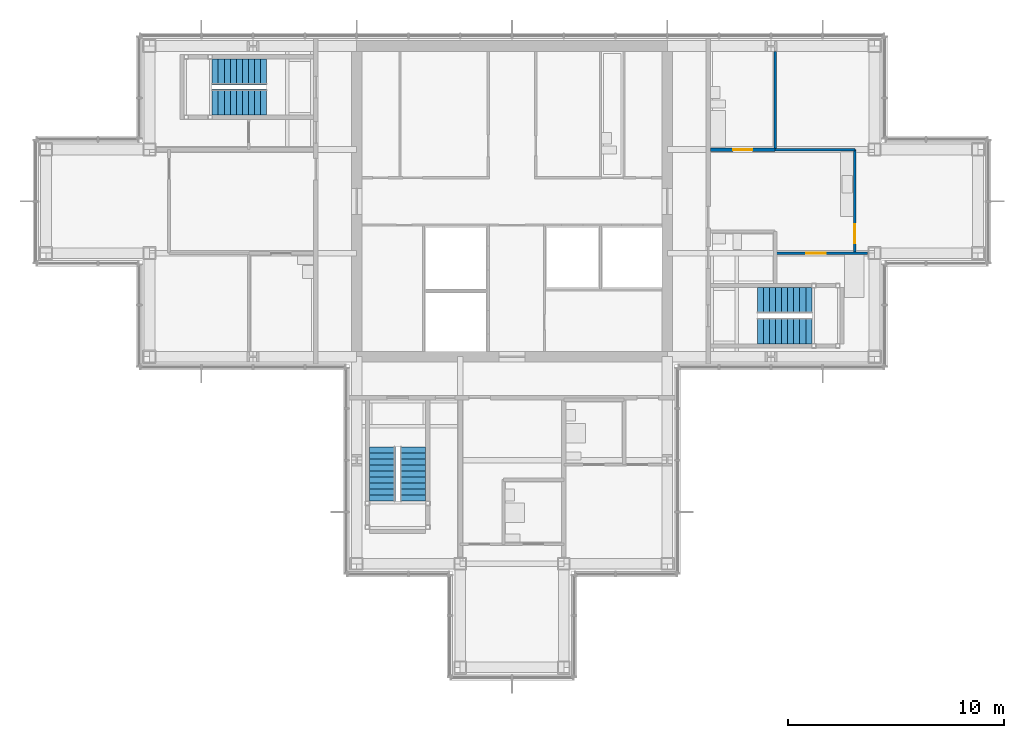
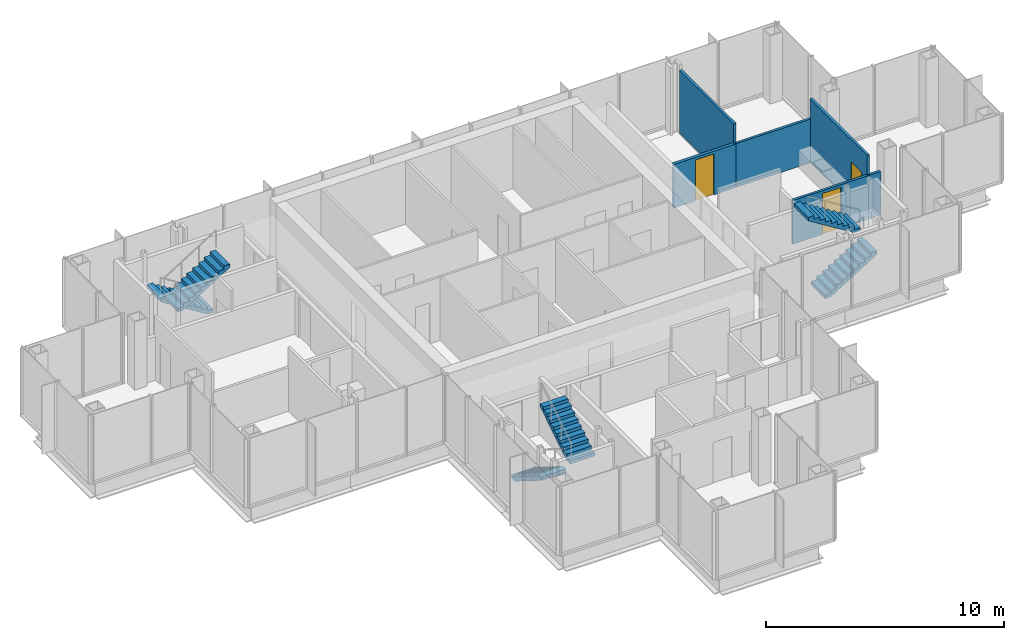
# One storey, part 12 of 15: 6 stair flights, 5 walls, 3 doors, 3 openings, 3 elements without a shape of their own.
"""IFC4 building model written with IfcOpenShell, lengths in metres."""

from ifc_helpers import new_model, si_unit, direction, frame, frame_2d, origin, place, context, subcontext, project, spatial, polyline, rectangle, outline, extrude, material, layer, layer_set, type_object, element, fill, aggregate, save


model = new_model("IFC4")

# Units and contexts
model_context = context("Model", 3, precision=1e-05, world=origin(), true_north=direction((0.0, 1.0)))
body_context = subcontext(model_context, "Body", "Model", "MODEL_VIEW")
ifc_project = project(units=[si_unit("LENGTHUNIT", "METRE"), si_unit("AREAUNIT", "SQUARE_METRE"), si_unit("VOLUMEUNIT", "CUBIC_METRE"), si_unit("PLANEANGLEUNIT", "RADIAN"), si_unit("MASSUNIT", "GRAM", prefix="KILO")], contexts=[model_context])

# Site, building, storey
site_placement = place(None, origin())
site = spatial("IfcSite", under=ifc_project, at=site_placement, CompositionType="ELEMENT")
building_placement = place(site_placement, origin())
building = spatial("IfcBuilding", under=site, at=building_placement, Name="Kvirike Care Tower", CompositionType="ELEMENT")
storey_placement = place(building_placement, frame((0.0, 0.0, 240.0)))
storey = spatial("IfcBuildingStorey", under=building, at=storey_placement, Name="L66", CompositionType="ELEMENT", Elevation=240.0)

# Wall, opening, door
ifc_material_1 = material(Name="Moisture-resistant board partition", Category="gypsum")
ifc_layer_1 = layer(ifc_material_1, 0.14990234375)
ifc_layer_set_1 = layer_set([ifc_layer_1], Name="BATHROOM WALL 150")
wall_type_1 = type_object("IfcWallType", Name="BATHROOM WALL 150", PredefinedType="PARTITIONING", material=ifc_layer_set_1)
wall_1_placement = place(storey_placement, frame((33.800048828125, 38.39990234375, 0.0), z_axis=(0.0, 0.0, 1.0), x_axis=(-1.0, 0.0, 0.0)))
wall_1 = element("IfcWall", 1, at=wall_1_placement, inside=storey, type_object=wall_type_1, Name="Bathroom Wall 150 L66", PredefinedType="PARTITIONING", context=body_context, shape_type="SweptSolid", body=[
    extrude(rectangle(XDim=3.0, YDim=0.14990234375, at=frame_2d((1.5, 0.0))), origin(), (0.0, 0.0, 1.0), 2.239990234375),
])
opening_1_placement = place(wall_1_placement, frame((1.050048828125, 0.0, 0.0)))
opening_1 = element("IfcOpeningElement", 2, at=opening_1_placement, cuts=wall_1, Name="Opening 66-015", PredefinedType="OPENING", context=body_context, shape_type="SweptSolid", body=[
    extrude(rectangle(XDim=0.89990234375, YDim=2.10009765625, at=frame_2d((0.449951171875, 1.050048828125))), frame((0.0, 0.08544921875, 0.0), z_axis=(0.0, -1.0, 0.0), x_axis=(1.0, 0.0, 0.0)), (0.0, 0.0, 1.0), 0.1708984375),
])
ifc_material_2 = material(Name="Timber door set", Category="wood")
door_type_1 = type_object("IfcDoorType", Name="BATHROOM DOOR 900", OperationType="SINGLE_SWING_RIGHT", PredefinedType="DOOR", material=ifc_material_2)
door_1_placement = place(opening_1_placement, frame((0.89990234375, 0.0, 0.0), z_axis=(0.0, 0.0, 1.0), x_axis=(-1.0, 0.0, 0.0)))
door_1 = element("IfcDoor", 3, at=door_1_placement, inside=storey, type_object=door_type_1, Name="Bathroom door", OperationType="SINGLE_SWING_LEFT", OverallHeight=2.10009765625, OverallWidth=0.89990234375, PredefinedType="DOOR", context=body_context, shape_type="SweptSolid", body=[
    extrude(rectangle(XDim=0.89990234375, YDim=2.10009765625, at=frame_2d((0.449951171875, 1.050048828125))), frame((0.0, 0.02197265625, 0.0), z_axis=(0.0, -1.0, 0.0), x_axis=(1.0, 0.0, 0.0)), (0.0, 0.0, 1.0), 0.0439453125),
])
fill(opening_1, door_1)

ifc_material_3 = material(Name="Plasterboard partition", Category="gypsum")
ifc_layer_2 = layer(ifc_material_3, 0.1201171875)
ifc_layer_set_2 = layer_set([ifc_layer_2], Name="PARTITION 120")
wall_type_2 = type_object("IfcWallType", Name="PARTITION 120", PredefinedType="PARTITIONING", material=ifc_layer_set_2)
wall_2_placement = place(storey_placement, frame((37.5, 33.60009765625, 0.0), z_axis=(0.0, 0.0, 1.0), x_axis=(0.0, 1.0, 0.0)))
wall_2 = element("IfcWall", 4, at=wall_2_placement, inside=storey, type_object=wall_type_2, Name="Partition 120 L66", PredefinedType="PARTITIONING", context=body_context, shape_type="SweptSolid", body=[
    extrude(rectangle(XDim=4.7998046875, YDim=0.1201171875, at=frame_2d((2.39990234375, 0.0))), origin(), (0.0, 0.0, 1.0), 3.25),
])
opening_2_placement = place(wall_2_placement, frame((0.449951171875, 0.0, 0.0)))
opening_2 = element("IfcOpeningElement", 5, at=opening_2_placement, cuts=wall_2, Name="Opening 66-016", PredefinedType="OPENING", context=body_context, shape_type="SweptSolid", body=[
    extrude(rectangle(XDim=0.89990234375, YDim=2.10009765625, at=frame_2d((0.449951171875, 1.050048828125))), frame((0.0, 0.070556640625, 0.0), z_axis=(0.0, -1.0, 0.0), x_axis=(1.0, 0.0, 0.0)), (0.0, 0.0, 1.0), 0.14111328125),
])
ifc_material_4 = material(Name="Timber door set", Category="wood")
door_type_2 = type_object("IfcDoorType", Name="INTERNAL DOOR 900", OperationType="SINGLE_SWING_LEFT", PredefinedType="DOOR", material=ifc_material_4)
door_2_placement = place(opening_2_placement, origin())
door_2 = element("IfcDoor", 6, at=door_2_placement, inside=storey, type_object=door_type_2, Name="Apartment living and dining room door", OperationType="SINGLE_SWING_RIGHT", OverallHeight=2.10009765625, OverallWidth=0.89990234375, PredefinedType="DOOR", context=body_context, shape_type="SweptSolid", body=[
    extrude(rectangle(XDim=0.89990234375, YDim=2.10009765625, at=frame_2d((0.449951171875, 1.050048828125))), frame((0.0, 0.02197265625, 0.0), z_axis=(0.0, -1.0, 0.0), x_axis=(1.0, 0.0, 0.0)), (0.0, 0.0, 1.0), 0.0439453125),
])
fill(opening_2, door_2)

# Wall
wall_3_placement = place(storey_placement, frame((33.800048828125, 38.39990234375, 0.0), z_axis=(0.0, 0.0, 1.0), x_axis=(0.0, 1.0, 0.0)))
element("IfcWall", 7, at=wall_3_placement, inside=storey, type_object=wall_type_2, Name="Partition 120 L66", PredefinedType="PARTITIONING", context=body_context, shape_type="SweptSolid", body=[
    extrude(rectangle(XDim=4.55615234375, YDim=0.1201171875, at=frame_2d((2.278076171875, 0.0))), origin(), (0.0, 0.0, 1.0), 3.25),
])

# Wall, opening, door
wall_4_placement = place(storey_placement, frame((38.080078125, 33.60009765625, 0.0), z_axis=(0.0, 0.0, 1.0), x_axis=(-1.0, 0.0, 0.0)))
wall_4 = element("IfcWall", 8, at=wall_4_placement, inside=storey, type_object=wall_type_2, Name="Partition 120 L66", PredefinedType="PARTITIONING", context=body_context, shape_type="SweptSolid", body=[
    extrude(rectangle(XDim=4.280029296875, YDim=0.1201171875, at=frame_2d((2.14013671875, 0.0))), origin(), (0.0, 0.0, 1.0), 2.239990234375),
])
opening_3_placement = place(wall_4_placement, frame((1.929931640625, 0.0, 0.0)))
opening_3 = element("IfcOpeningElement", 9, at=opening_3_placement, cuts=wall_4, Name="Opening 66-017", PredefinedType="OPENING", context=body_context, shape_type="SweptSolid", body=[
    extrude(rectangle(XDim=0.89990234375, YDim=2.10009765625, at=frame_2d((0.449951171875, 1.050048828125))), frame((0.0, 0.070556640625, 0.0), z_axis=(0.0, -1.0, 0.0), x_axis=(1.0, 0.0, 0.0)), (0.0, 0.0, 1.0), 0.14111328125),
])
door_3_placement = place(opening_3_placement, origin())
door_3 = element("IfcDoor", 10, at=door_3_placement, inside=storey, type_object=door_type_2, Name="Connecting door", OperationType="SINGLE_SWING_LEFT", OverallHeight=2.10009765625, OverallWidth=0.89990234375, PredefinedType="DOOR", context=body_context, shape_type="SweptSolid", body=[
    extrude(rectangle(XDim=0.89990234375, YDim=2.10009765625, at=frame_2d((0.449951171875, 1.050048828125))), frame((0.0, 0.02197265625, 0.0), z_axis=(0.0, -1.0, 0.0), x_axis=(1.0, 0.0, 0.0)), (0.0, 0.0, 1.0), 0.0439453125),
])
fill(opening_3, door_3)

# Wall
wall_5_placement = place(storey_placement, frame((37.5, 38.39990234375, 0.0), z_axis=(0.0, 0.0, 1.0), x_axis=(-1.0, 0.0, 0.0)))
element("IfcWall", 11, at=wall_5_placement, inside=storey, type_object=wall_type_2, Name="Partition 120 L66", PredefinedType="PARTITIONING", context=body_context, shape_type="SweptSolid", body=[
    extrude(rectangle(XDim=3.699951171875, YDim=0.1201171875, at=frame_2d((1.85009765625, 0.0))), origin(), (0.0, 0.0, 1.0), 2.239990234375),
])

# Stair, stair flights
ifc_material_5 = material(Name="Concrete C35/45", Category="concrete")
stair_type = type_object("IfcStairType", Name="STAIR 20 RISERS", PredefinedType="HALF_TURN_STAIR", material=ifc_material_5)
stair_1_placement = place(storey_placement, origin())
stair_1 = element("IfcStair", 12, at=stair_1_placement, inside=storey, type_object=stair_type, Name="Stair 1 L66", PredefinedType="HALF_TURN_STAIR")
ifc_material_6 = material(Name="Concrete C35/45", Category="concrete")
stair_flight_type = type_object("IfcStairFlightType", Name="FLIGHT 10 RISERS", PredefinedType="STRAIGHT", material=ifc_material_6)
stair_flight_1_placement = place(storey_placement, frame((10.219970703125, 42.0, 0.0), z_axis=(0.0, 0.0, 1.0), x_axis=(-1.0, 0.0, 0.0)))
stair_flight_1 = element("IfcStairFlight", 13, at=stair_flight_1_placement, type_object=stair_flight_type, Name="Stair S1 flight 1 L66-L67", NumberOfRisers=10, NumberOfTreads=9, PredefinedType="STRAIGHT", RiserHeight=0.175, TreadLength=0.28, context=body_context, shape_type="SweptSolid", body=[
    extrude(outline(polyline([(0.0, 0.0), (0.0, 0.175048828125), (0.280029296875, 0.175048828125), (0.280029296875, 0.35009765625), (0.56005859375, 0.35009765625), (0.56005859375, 0.52490234375), (0.840087890625, 0.52490234375), (0.840087890625, 0.699951171875), (1.1201171875, 0.699951171875), (1.1201171875, 0.875), (1.39990234375, 0.875), (1.39990234375, 1.050048828125), (1.679931640625, 1.050048828125), (1.679931640625, 1.22509765625), (1.9599609375, 1.22509765625), (1.9599609375, 1.39990234375), (2.239990234375, 1.39990234375), (2.239990234375, 1.574951171875), (2.52001953125, 1.574951171875), (2.52001953125, 1.75), (2.52001953125, 1.398193359375), (0.28271484375, 0.0), (0.0, 0.0)])), frame((0.0, 0.60009765625, 0.0), z_axis=(0.0, -1.0, 0.0), x_axis=(1.0, 0.0, 0.0)), (0.0, 0.0, 1.0), 1.199951171875),
])
stair_flight_2_placement = place(storey_placement, frame((7.699951171875, 40.60009765625, 1.75), z_axis=(0.0, 0.0, 1.0), x_axis=(1.0, 0.0, 0.0)))
stair_flight_2 = element("IfcStairFlight", 14, at=stair_flight_2_placement, type_object=stair_flight_type, Name="Stair S1 flight 2 L66-L67", NumberOfRisers=10, NumberOfTreads=9, PredefinedType="STRAIGHT", RiserHeight=0.175, TreadLength=0.28, context=body_context, shape_type="SweptSolid", body=[
    extrude(outline(polyline([(0.0, 0.0), (0.0, 0.175048828125), (0.280029296875, 0.175048828125), (0.280029296875, 0.35009765625), (0.56005859375, 0.35009765625), (0.56005859375, 0.52490234375), (0.840087890625, 0.52490234375), (0.840087890625, 0.699951171875), (1.1201171875, 0.699951171875), (1.1201171875, 0.875), (1.39990234375, 0.875), (1.39990234375, 1.050048828125), (1.679931640625, 1.050048828125), (1.679931640625, 1.22509765625), (1.9599609375, 1.22509765625), (1.9599609375, 1.39990234375), (2.239990234375, 1.39990234375), (2.239990234375, 1.574951171875), (2.52001953125, 1.574951171875), (2.52001953125, 1.75), (2.52001953125, 1.398193359375), (0.28271484375, 0.0), (0.0, 0.0)])), frame((0.0, 0.60009765625, 0.0), z_axis=(0.0, -1.0, 0.0), x_axis=(1.0, 0.0, 0.0)), (0.0, 0.0, 1.0), 1.199951171875),
])
aggregate(stair_1, [stair_flight_1, stair_flight_2])

stair_2_placement = place(storey_placement, origin())
stair_2 = element("IfcStair", 15, at=stair_2_placement, inside=storey, type_object=stair_type, Name="Stair 2 L66", PredefinedType="HALF_TURN_STAIR")
stair_flight_3_placement = place(storey_placement, frame((32.97998046875, 30.0, 0.0), z_axis=(0.0, 0.0, 1.0), x_axis=(1.0, 0.0, 0.0)))
stair_flight_3 = element("IfcStairFlight", 16, at=stair_flight_3_placement, type_object=stair_flight_type, Name="Stair S2 flight 1 L66-L67", NumberOfRisers=10, NumberOfTreads=9, PredefinedType="STRAIGHT", RiserHeight=0.175, TreadLength=0.28, context=body_context, shape_type="SweptSolid", body=[
    extrude(outline(polyline([(0.0, 0.0), (0.0, 0.175048828125), (0.280029296875, 0.175048828125), (0.280029296875, 0.35009765625), (0.56005859375, 0.35009765625), (0.56005859375, 0.52490234375), (0.840087890625, 0.52490234375), (0.840087890625, 0.699951171875), (1.1201171875, 0.699951171875), (1.1201171875, 0.875), (1.39990234375, 0.875), (1.39990234375, 1.050048828125), (1.679931640625, 1.050048828125), (1.679931640625, 1.22509765625), (1.9599609375, 1.22509765625), (1.9599609375, 1.39990234375), (2.239990234375, 1.39990234375), (2.239990234375, 1.574951171875), (2.52001953125, 1.574951171875), (2.52001953125, 1.75), (2.52001953125, 1.398193359375), (0.28271484375, 0.0), (0.0, 0.0)])), frame((0.0, 0.60009765625, 0.0), z_axis=(0.0, -1.0, 0.0), x_axis=(1.0, 0.0, 0.0)), (0.0, 0.0, 1.0), 1.199951171875),
])
stair_flight_4_placement = place(storey_placement, frame((35.5, 31.39990234375, 1.75), z_axis=(0.0, 0.0, 1.0), x_axis=(-1.0, 0.0, 0.0)))
stair_flight_4 = element("IfcStairFlight", 17, at=stair_flight_4_placement, type_object=stair_flight_type, Name="Stair S2 flight 2 L66-L67", NumberOfRisers=10, NumberOfTreads=9, PredefinedType="STRAIGHT", RiserHeight=0.175, TreadLength=0.28, context=body_context, shape_type="SweptSolid", body=[
    extrude(outline(polyline([(0.0, 0.0), (0.0, 0.175048828125), (0.280029296875, 0.175048828125), (0.280029296875, 0.35009765625), (0.56005859375, 0.35009765625), (0.56005859375, 0.52490234375), (0.840087890625, 0.52490234375), (0.840087890625, 0.699951171875), (1.1201171875, 0.699951171875), (1.1201171875, 0.875), (1.39990234375, 0.875), (1.39990234375, 1.050048828125), (1.679931640625, 1.050048828125), (1.679931640625, 1.22509765625), (1.9599609375, 1.22509765625), (1.9599609375, 1.39990234375), (2.239990234375, 1.39990234375), (2.239990234375, 1.574951171875), (2.52001953125, 1.574951171875), (2.52001953125, 1.75), (2.52001953125, 1.398193359375), (0.28271484375, 0.0), (0.0, 0.0)])), frame((0.0, 0.60009765625, 0.0), z_axis=(0.0, -1.0, 0.0), x_axis=(1.0, 0.0, 0.0)), (0.0, 0.0, 1.0), 1.199951171875),
])
aggregate(stair_2, [stair_flight_3, stair_flight_4])

stair_3_placement = place(storey_placement, origin())
stair_3 = element("IfcStair", 18, at=stair_3_placement, inside=storey, type_object=stair_type, Name="Stair 5 L66", PredefinedType="HALF_TURN_STAIR")
stair_flight_5_placement = place(storey_placement, frame((15.60009765625, 24.6201171875, 0.0), z_axis=(0.0, 0.0, 1.0), x_axis=(0.0, -1.0, 0.0)))
stair_flight_5 = element("IfcStairFlight", 19, at=stair_flight_5_placement, type_object=stair_flight_type, Name="Stair S5 flight 1 L66-L67", NumberOfRisers=10, NumberOfTreads=9, PredefinedType="STRAIGHT", RiserHeight=0.175, TreadLength=0.28, context=body_context, shape_type="SweptSolid", body=[
    extrude(outline(polyline([(0.0, 0.0), (0.0, 0.175048828125), (0.280029296875, 0.175048828125), (0.280029296875, 0.35009765625), (0.56005859375, 0.35009765625), (0.56005859375, 0.52490234375), (0.840087890625, 0.52490234375), (0.840087890625, 0.699951171875), (1.1201171875, 0.699951171875), (1.1201171875, 0.875), (1.39990234375, 0.875), (1.39990234375, 1.050048828125), (1.679931640625, 1.050048828125), (1.679931640625, 1.22509765625), (1.9599609375, 1.22509765625), (1.9599609375, 1.39990234375), (2.239990234375, 1.39990234375), (2.239990234375, 1.574951171875), (2.52001953125, 1.574951171875), (2.52001953125, 1.75), (2.52001953125, 1.398193359375), (0.28271484375, 0.0), (0.0, 0.0)])), frame((0.0, 0.60009765625, 0.0), z_axis=(0.0, -1.0, 0.0), x_axis=(1.0, 0.0, 0.0)), (0.0, 0.0, 1.0), 1.199951171875),
])
stair_flight_6_placement = place(storey_placement, frame((17.0, 22.10009765625, 1.75), z_axis=(0.0, 0.0, 1.0), x_axis=(0.0, 1.0, 0.0)))
stair_flight_6 = element("IfcStairFlight", 20, at=stair_flight_6_placement, type_object=stair_flight_type, Name="Stair S5 flight 2 L66-L67", NumberOfRisers=10, NumberOfTreads=9, PredefinedType="STRAIGHT", RiserHeight=0.175, TreadLength=0.28, context=body_context, shape_type="SweptSolid", body=[
    extrude(outline(polyline([(0.0, 0.0), (0.0, 0.175048828125), (0.280029296875, 0.175048828125), (0.280029296875, 0.35009765625), (0.56005859375, 0.35009765625), (0.56005859375, 0.52490234375), (0.840087890625, 0.52490234375), (0.840087890625, 0.699951171875), (1.1201171875, 0.699951171875), (1.1201171875, 0.875), (1.39990234375, 0.875), (1.39990234375, 1.050048828125), (1.679931640625, 1.050048828125), (1.679931640625, 1.22509765625), (1.9599609375, 1.22509765625), (1.9599609375, 1.39990234375), (2.239990234375, 1.39990234375), (2.239990234375, 1.574951171875), (2.52001953125, 1.574951171875), (2.52001953125, 1.75), (2.52001953125, 1.398193359375), (0.28271484375, 0.0), (0.0, 0.0)])), frame((0.0, 0.60009765625, 0.0), z_axis=(0.0, -1.0, 0.0), x_axis=(1.0, 0.0, 0.0)), (0.0, 0.0, 1.0), 1.199951171875),
])
aggregate(stair_3, [stair_flight_5, stair_flight_6])

save(model, "model.ifc")
